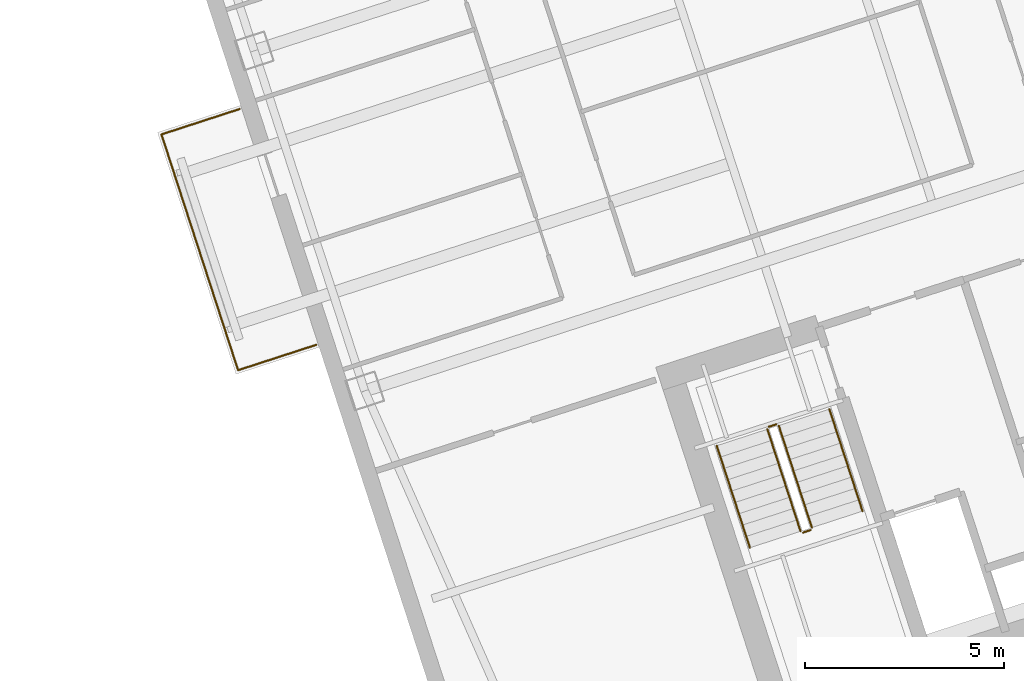
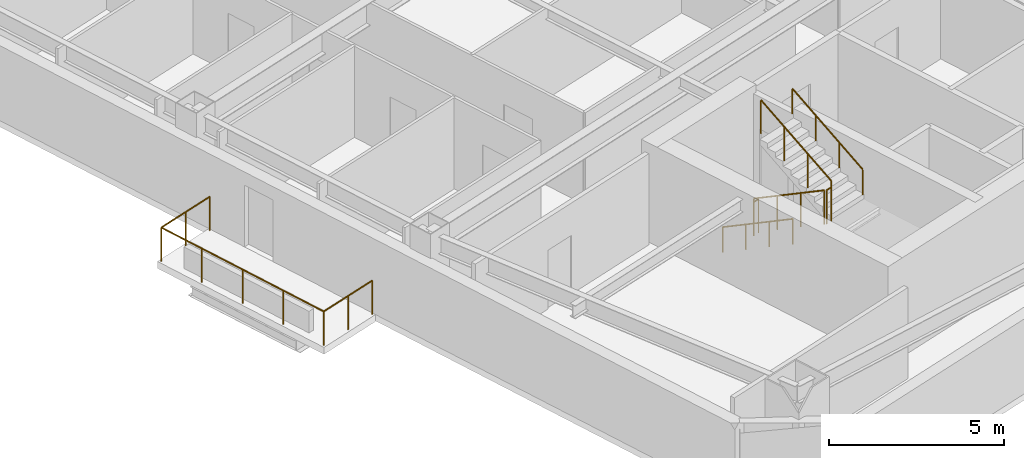
# One storey, part 21 of 22: 7 railings.
"""IFC4 building model written with IfcOpenShell, lengths in metres."""

import ifcopenshell
import ifcopenshell.guid

model = None  # the IFC model being written
_history = None  # IfcOwnerHistory: only IFC2X3 demands one
_inside = {}  # id of a spatial element -> (the spatial element, [elements in it])
_under = {}  # id of a project, library or spatial element -> (it, [spatial elements below it])
_declared = {}  # id of a project -> (the project, [libraries it declares])
_typed = {}  # id of a type object -> (the type object, [elements of that type])
_made_of = {}  # id of a material, layer set ... -> (it, [elements and type objects made of it])


def new_model(schema):
    """Start an empty IFC model of exactly this schema.

    Asked for "IFC4X3", IfcOpenShell would pick the latest addendum, in which some entities
    have other attributes; the version numbers below select the first issue.
    IFC2X3 requires an IfcOwnerHistory on every rooted entity: one is made here for all.
    """
    global model, _history
    if schema == "IFC4X3":
        model = ifcopenshell.file(schema_version=(4, 3, 0, 0))
    else:
        model = ifcopenshell.file(schema=schema)
    _inside.clear()
    _under.clear()
    _declared.clear()
    _typed.clear()
    _made_of.clear()
    _history = None
    if model.schema == "IFC2X3":
        org = make("IfcOrganization", Name="unknown")
        user = make(
            "IfcPersonAndOrganization",
            ThePerson=make("IfcPerson", FamilyName="unknown"),
            TheOrganization=org,
        )
        app = make(
            "IfcApplication",
            ApplicationDeveloper=org,
            Version="unknown",
            ApplicationFullName="unknown",
            ApplicationIdentifier="unknown",
        )
        _history = make(
            "IfcOwnerHistory",
            OwningUser=user,
            OwningApplication=app,
            ChangeAction="ADDED",
            CreationDate=0,
        )
    return model


def make(cls, **values):
    """One entity of the class cls with the attributes given. An attribute that is None is left unset."""
    return model.create_entity(
        cls, **{name: value for name, value in values.items() if value is not None}
    )


def rooted(cls, **values):
    """An entity with a GlobalId (a new one), such as an element, a storey or a relation."""
    return make(cls, GlobalId=ifcopenshell.guid.new(), OwnerHistory=_history, **values)


def si_unit(unit_type, name, prefix=None):
    """IfcSIUnit, for example si_unit("LENGTHUNIT", "METRE", prefix="MILLI")."""
    return make("IfcSIUnit", UnitType=unit_type, Prefix=prefix, Name=name)


def assignment(units):
    """IfcUnitAssignment: the units of a project."""
    return None if units is None else make("IfcUnitAssignment", Units=units)


def point(xyz):
    """IfcCartesianPoint."""
    return None if xyz is None else make("IfcCartesianPoint", Coordinates=xyz)


def direction(xyz):
    """IfcDirection."""
    return None if xyz is None else make("IfcDirection", DirectionRatios=xyz)


def frame(location, z_axis=None, x_axis=None):
    """IfcAxis2Placement3D, a coordinate frame: its origin and axes. An axis left out is left unset."""
    return make(
        "IfcAxis2Placement3D",
        Location=point(location),
        Axis=direction(z_axis),
        RefDirection=direction(x_axis),
    )


def frame_2d(location, x_axis=None):
    """IfcAxis2Placement2D, a coordinate frame in the plane: its origin and x axis."""
    return make(
        "IfcAxis2Placement2D", Location=point(location), RefDirection=direction(x_axis)
    )


def origin():
    """The frame at (0, 0, 0) with its axes left unset."""
    return frame((0.0, 0.0, 0.0))


def origin_2d():
    """The frame at (0, 0) in the plane with its x axis left unset."""
    return frame_2d((0.0, 0.0))


def place(relative_to, where):
    """IfcLocalPlacement: puts the frame where relative to a parent placement (None: the world)."""
    return make(
        "IfcLocalPlacement", PlacementRelTo=relative_to, RelativePlacement=where
    )


def context(
    kind, dimensions, precision=None, world=None, true_north=None, identifier=None
):
    """IfcGeometricRepresentationContext, for example the 3D "Model" context."""
    return make(
        "IfcGeometricRepresentationContext",
        ContextIdentifier=identifier,
        ContextType=kind,
        CoordinateSpaceDimension=dimensions,
        Precision=precision,
        WorldCoordinateSystem=world,
        TrueNorth=true_north,
    )


def subcontext(parent, identifier, kind, view, scale=None):
    """IfcGeometricRepresentationSubContext, for example "Body" below "Model"."""
    return make(
        "IfcGeometricRepresentationSubContext",
        ContextIdentifier=identifier,
        ContextType=kind,
        ParentContext=parent,
        TargetScale=scale,
        TargetView=view,
    )


def project(units=None, contexts=None):
    """IfcProject with its units and contexts."""
    return rooted(
        "IfcProject",
        Name="project",
        RepresentationContexts=contexts,
        UnitsInContext=assignment(units),
    )


def spatial(cls, under=None, at=None, **own):
    """A site, building, storey or space (cls), placed at a placement, below another one or the project."""
    s = rooted(cls, ObjectPlacement=at, **own)
    if under is not None:
        _under.setdefault(under.id(), (under, []))[1].append(s)
    return s


def profile(cls, at=None, kind="AREA", **sizes):
    """A parametric profile (cls). Its sizes go by their IFC names, for example OverallWidth=200.0."""
    return make(cls, ProfileType=kind, Position=at, **sizes)


def circle(**sizes):
    """IfcCircleProfileDef."""
    return profile("IfcCircleProfileDef", **sizes)


def extrude(swept, where, along, depth):
    """IfcExtrudedAreaSolid: the profile swept, set in the frame where, extruded along a direction by depth."""
    return make(
        "IfcExtrudedAreaSolid",
        SweptArea=swept,
        Position=where,
        ExtrudedDirection=direction(along),
        Depth=depth,
    )


def shape(context_of_items, identifier, shape_type, items):
    """IfcShapeRepresentation: the items that make up one representation, for example the "Body"."""
    return make(
        "IfcShapeRepresentation",
        ContextOfItems=context_of_items,
        RepresentationIdentifier=identifier,
        RepresentationType=shape_type,
        Items=items,
    )


def material(Name=None, Category=None):
    """IfcMaterial."""
    return make("IfcMaterial", Name=Name, Category=Category)


def made_of(thing, what):
    """Note that an element or type object is made of a material, layer set ...; save() writes the relation."""
    if what is not None:
        _made_of.setdefault(what.id(), (what, []))[1].append(thing)
    return thing


def type_object(cls, material=None, **own):
    """A type object (cls), such as IfcWallType, which elements share."""
    return made_of(rooted(cls, **own), material)


def element(
    cls,
    number,
    at=None,
    inside=None,
    cuts=None,
    type_object=None,
    material=None,
    context=None,
    identifier="Body",
    shape_type=None,
    held_by="IfcProductDefinitionShape",
    body=None,
    shapes=None,
    **own,
):
    """One element of the class cls, such as IfcWall. Its Tag is "e" and its number.

    at: its placement. inside: the storey or other place that contains it. cuts: it is an
    opening in that element (IfcRelVoidsElement). A single representation is given by context,
    identifier, shape_type and body (its items); several are given by shapes. held_by: the class
    of the entity that holds the representations. save() writes the other relations.
    """
    e = rooted(cls, Tag="e%d" % number, ObjectPlacement=at, **own)
    if body is not None:
        shapes = [shape(context, identifier, shape_type, body)]
    if shapes is not None:
        e.Representation = make(held_by, Representations=shapes)
    if inside is not None:
        _inside.setdefault(inside.id(), (inside, []))[1].append(e)
    if cuts is not None:
        rooted(
            "IfcRelVoidsElement", RelatingBuildingElement=cuts, RelatedOpeningElement=e
        )
    if type_object is not None:
        _typed.setdefault(type_object.id(), (type_object, []))[1].append(e)
    return made_of(e, material)


def aggregate(whole, parts):
    """IfcRelAggregates: a whole, such as a stair, and the parts it consists of."""
    return rooted("IfcRelAggregates", RelatingObject=whole, RelatedObjects=parts)


def save(model, path):
    """Write the relations noted so far, then the file.

    IfcRelAggregates (storeys below a building ...), IfcRelContainedInSpatialStructure (elements
    in a storey), IfcRelDefinesByType, IfcRelAssociatesMaterial and IfcRelDeclares: one each for
    every whole, place, type object, material and project.
    """
    for whole, parts in _under.values():
        aggregate(whole, parts)
    for where, things in _inside.values():
        rooted(
            "IfcRelContainedInSpatialStructure",
            RelatedElements=things,
            RelatingStructure=where,
        )
    for kind, things in _typed.values():
        rooted("IfcRelDefinesByType", RelatedObjects=things, RelatingType=kind)
    for what, things in _made_of.values():
        rooted("IfcRelAssociatesMaterial", RelatedObjects=things, RelatingMaterial=what)
    for by, libraries in _declared.values():
        rooted("IfcRelDeclares", RelatingContext=by, RelatedDefinitions=libraries)
    model.write(path)


model = new_model("IFC4")

# Units and contexts
model_context = context("Model", 3, precision=1e-05, world=origin(), true_north=direction((0.0, 1.0)))
body_context = subcontext(model_context, "Body", "Model", "MODEL_VIEW")
ifc_project = project(units=[si_unit("LENGTHUNIT", "METRE"), si_unit("AREAUNIT", "SQUARE_METRE"), si_unit("VOLUMEUNIT", "CUBIC_METRE"), si_unit("PLANEANGLEUNIT", "RADIAN"), si_unit("MASSUNIT", "GRAM", prefix="KILO")], contexts=[model_context])

# Site, building, storey
site_placement = place(None, origin())
site = spatial("IfcSite", under=ifc_project, at=site_placement, CompositionType="ELEMENT")
building_placement = place(site_placement, origin())
building = spatial("IfcBuilding", under=site, at=building_placement, Name="Qiaolan Cultural Towers", CompositionType="ELEMENT")
storey_placement = place(building_placement, frame((0.0, 0.0, 146.050048828125)))
storey = spatial("IfcBuildingStorey", under=building, at=storey_placement, Name="L38", CompositionType="ELEMENT", Elevation=146.050048828125)

# Railings
ifc_material_1 = material(Name="Laminated SentryGlas & Stainless Steel S31608 Balustrade", Category="steel")
railing_type_1 = type_object("IfcRailingType", Name="GRD-TERR-1200", PredefinedType="BALUSTRADE", material=ifc_material_1)
railing_1_placement = place(storey_placement, frame((77.24951171875, 21.9501953125, 0.0)))
element("IfcRailing", 1, at=railing_1_placement, inside=storey, type_object=railing_type_1, Name="L38 T2 Tree Balcony Guardrail W", PredefinedType="BALUSTRADE", context=body_context, shape_type="SweptSolid", body=[
    extrude(circle(Radius=0.02392578125, at=origin_2d()), frame((0.0, 0.0, 1.17578125), z_axis=(-0.951061799618, -0.309000733507, 0.0), x_axis=(0.309000733507, -0.951061799618, 0.0)), (0.0, 0.0, 1.0), 2.070068359375),
    extrude(circle(Radius=0.02392578125, at=origin_2d()), frame((-1.96875, -0.6396484375, 1.17578125), z_axis=(-0.30901175762, 0.951058217804, 0.0), x_axis=(-0.951058217804, -0.30901175762, 0.0)), (0.0, 0.0, 1.0), 6.239990234375),
    extrude(circle(Radius=0.02392578125, at=origin_2d()), frame((-3.89697265625, 5.294921875, 1.17578125), z_axis=(0.951061799618, 0.309000733507, 0.0), x_axis=(-0.309000733507, 0.951061799618, 0.0)), (0.0, 0.0, 1.0), 2.070068359375),
    extrude(circle(Radius=0.02099609375, at=origin_2d()), origin(), (0.0, 0.0, 1.0), 1.15185546875),
    extrude(circle(Radius=0.02099609375, at=origin_2d()), frame((-0.984375, -0.31982421875, 0.0)), (0.0, 0.0, 1.0), 1.15185546875),
    extrude(circle(Radius=0.02099609375, at=origin_2d()), frame((-1.96875, -0.6396484375, 0.0)), (0.0, 0.0, 1.0), 1.15185546875),
    extrude(circle(Radius=0.02099609375, at=origin_2d()), frame((-2.45068359375, 0.843994140625, 0.0)), (0.0, 0.0, 1.0), 1.15185546875),
    extrude(circle(Radius=0.02099609375, at=origin_2d()), frame((-2.932861328125, 2.32763671875, 0.0)), (0.0, 0.0, 1.0), 1.15185546875),
    extrude(circle(Radius=0.02099609375, at=origin_2d()), frame((-3.4150390625, 3.811279296875, 0.0)), (0.0, 0.0, 1.0), 1.15185546875),
    extrude(circle(Radius=0.02099609375, at=origin_2d()), frame((-3.89697265625, 5.294921875, 0.0)), (0.0, 0.0, 1.0), 1.15185546875),
    extrude(circle(Radius=0.02099609375, at=origin_2d()), frame((-2.91259765625, 5.61474609375, 0.0)), (0.0, 0.0, 1.0), 1.15185546875),
    extrude(circle(Radius=0.02099609375, at=origin_2d()), frame((-1.92822265625, 5.9345703125, 0.0)), (0.0, 0.0, 1.0), 1.15185546875),
])
ifc_material_2 = material(Name="Galvanized Painted Steel Stair Guardrail", Category="steel")
railing_type_2 = type_object("IfcRailingType", Name="RL-STAIR-GRD", PredefinedType="GUARDRAIL", material=ifc_material_2)
railing_2_placement = place(storey_placement, frame((88.60205078125, 19.82421875, 0.17236328125)))
element("IfcRailing", 2, at=railing_2_placement, inside=storey, type_object=railing_type_2, Name="L38 ST-E1 stair guard 1", PredefinedType="GUARDRAIL", context=body_context, shape_type="SweptSolid", body=[
    extrude(circle(Radius=0.02392578125, at=origin_2d()), frame((0.0, 0.0, 1.17578125), z_axis=(0.267925668498, -0.824471088726, 0.498460891159), x_axis=(0.951043371037, 0.309057448393, 0.0)), (0.0, 0.0, 1.0), 3.114501953125),
    extrude(circle(Radius=0.02099609375, at=origin_2d()), origin(), (0.0, 0.0, 1.0), 1.15185546875),
    extrude(circle(Radius=0.02099609375, at=origin_2d()), frame((0.278076171875, -0.85595703125, 0.517578125)), (0.0, 0.0, 1.0), 1.15185546875),
    extrude(circle(Radius=0.02099609375, at=origin_2d()), frame((0.556396484375, -1.7119140625, 1.034912109375)), (0.0, 0.0, 1.0), 1.15185546875),
    extrude(circle(Radius=0.02099609375, at=origin_2d()), frame((0.83447265625, -2.56787109375, 1.552490234375)), (0.0, 0.0, 1.0), 1.15185546875),
])
railing_3_placement = place(storey_placement, frame((89.49951171875, 17.224365234375, 1.724853515625)))
element("IfcRailing", 3, at=railing_3_placement, inside=storey, type_object=railing_type_2, Name="L38 ST-E1 stair guard 2", PredefinedType="GUARDRAIL", context=body_context, shape_type="SweptSolid", body=[
    extrude(circle(Radius=0.02392578125, at=origin_2d()), frame((0.0, 0.0, 1.17578125), z_axis=(0.951096855055, 0.308892816854, 0.0), x_axis=(-0.308892816854, 0.951096855055, 0.0)), (0.0, 0.0, 1.0), 0.199951171875),
    extrude(circle(Radius=0.02099609375, at=origin_2d()), origin(), (0.0, 0.0, 1.0), 1.15185546875),
    extrude(circle(Radius=0.02099609375, at=origin_2d()), frame((0.190185546875, 0.061767578125, 0.0)), (0.0, 0.0, 1.0), 1.15185546875),
])
railing_4_placement = place(storey_placement, frame((89.721923828125, 17.34912109375, 1.8974609375)))
element("IfcRailing", 4, at=railing_4_placement, inside=storey, type_object=railing_type_2, Name="L38 ST-E1 stair guard 3", PredefinedType="GUARDRAIL", context=body_context, shape_type="SweptSolid", body=[
    extrude(circle(Radius=0.02392578125, at=origin_2d()), frame((0.0, 0.0, 1.17578125), z_axis=(-0.267925668498, 0.824471088726, 0.498460891159), x_axis=(-0.951043371037, -0.309057448393, 0.0)), (0.0, 0.0, 1.0), 3.114501953125),
    extrude(circle(Radius=0.02099609375, at=origin_2d()), origin(), (0.0, 0.0, 1.0), 1.15185546875),
    extrude(circle(Radius=0.02099609375, at=origin_2d()), frame((-0.278076171875, 0.85595703125, 0.517578125)), (0.0, 0.0, 1.0), 1.15185546875),
    extrude(circle(Radius=0.02099609375, at=origin_2d()), frame((-0.556396484375, 1.7119140625, 1.034912109375)), (0.0, 0.0, 1.0), 1.15185546875),
    extrude(circle(Radius=0.02099609375, at=origin_2d()), frame((-0.83447265625, 2.56787109375, 1.552490234375)), (0.0, 0.0, 1.0), 1.15185546875),
])
railing_5_placement = place(storey_placement, frame((88.63427734375, 19.88720703125, 0.0)))
element("IfcRailing", 5, at=railing_5_placement, inside=storey, type_object=railing_type_2, Name="L38 ST-E1 stair guard 4", PredefinedType="GUARDRAIL", context=body_context, shape_type="SweptSolid", body=[
    extrude(circle(Radius=0.02392578125, at=origin_2d()), frame((0.0, 0.0, 1.17578125), z_axis=(0.951096855055, 0.308892816854, 0.0), x_axis=(-0.308892816854, 0.951096855055, 0.0)), (0.0, 0.0, 1.0), 0.199951171875),
    extrude(circle(Radius=0.02099609375, at=origin_2d()), origin(), (0.0, 0.0, 1.0), 1.15185546875),
    extrude(circle(Radius=0.02099609375, at=origin_2d()), frame((0.190185546875, 0.061767578125, 0.0)), (0.0, 0.0, 1.0), 1.15185546875),
])
ifc_material_3 = material(Name="Stainless Steel S30408 Tubular Handrail", Category="steel")
railing_type_3 = type_object("IfcRailingType", Name="RL-STAIR-HR", PredefinedType="HANDRAIL", material=ifc_material_3)
railing_6_placement = place(storey_placement, frame((87.32763671875, 19.41015625, 0.17236328125)))
element("IfcRailing", 6, at=railing_6_placement, inside=storey, type_object=railing_type_3, Name="L38 ST-E1 stair handrail 1", PredefinedType="HANDRAIL", context=body_context, shape_type="SweptSolid", body=[
    extrude(circle(Radius=0.02392578125, at=origin_2d()), frame((0.0, 0.0, 0.8759765625), z_axis=(0.267925668498, -0.824471088726, 0.498460891159), x_axis=(0.951043371037, 0.309057448393, 0.0)), (0.0, 0.0, 1.0), 3.114501953125),
    extrude(circle(Radius=0.02099609375, at=origin_2d()), origin(), (0.0, 0.0, 1.0), 0.851806640625),
    extrude(circle(Radius=0.02099609375, at=origin_2d()), frame((0.278076171875, -0.85595703125, 0.517578125)), (0.0, 0.0, 1.0), 0.851806640625),
    extrude(circle(Radius=0.02099609375, at=origin_2d()), frame((0.556396484375, -1.7119140625, 1.034912109375)), (0.0, 0.0, 1.0), 0.851806640625),
    extrude(circle(Radius=0.02099609375, at=origin_2d()), frame((0.83447265625, -2.56787109375, 1.552490234375)), (0.0, 0.0, 1.0), 0.851806640625),
])
railing_7_placement = place(storey_placement, frame((90.996337890625, 17.76318359375, 1.8974609375)))
element("IfcRailing", 7, at=railing_7_placement, inside=storey, type_object=railing_type_3, Name="L38 ST-E1 stair handrail 2", PredefinedType="HANDRAIL", context=body_context, shape_type="SweptSolid", body=[
    extrude(circle(Radius=0.02392578125, at=origin_2d()), frame((0.0, 0.0, 0.8759765625), z_axis=(-0.267925668498, 0.824471088726, 0.498460891159), x_axis=(-0.951043371037, -0.309057448393, 0.0)), (0.0, 0.0, 1.0), 3.114501953125),
    extrude(circle(Radius=0.02099609375, at=origin_2d()), origin(), (0.0, 0.0, 1.0), 0.851806640625),
    extrude(circle(Radius=0.02099609375, at=origin_2d()), frame((-0.278076171875, 0.85595703125, 0.517578125)), (0.0, 0.0, 1.0), 0.851806640625),
    extrude(circle(Radius=0.02099609375, at=origin_2d()), frame((-0.556396484375, 1.7119140625, 1.034912109375)), (0.0, 0.0, 1.0), 0.851806640625),
    extrude(circle(Radius=0.02099609375, at=origin_2d()), frame((-0.83447265625, 2.56787109375, 1.552490234375)), (0.0, 0.0, 1.0), 0.851806640625),
])

save(model, "model.ifc")
